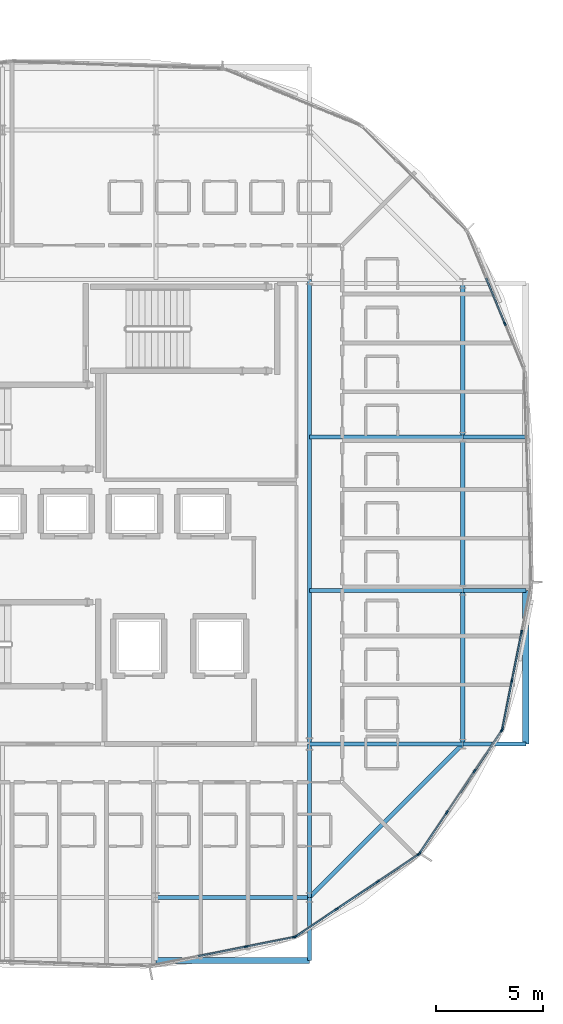
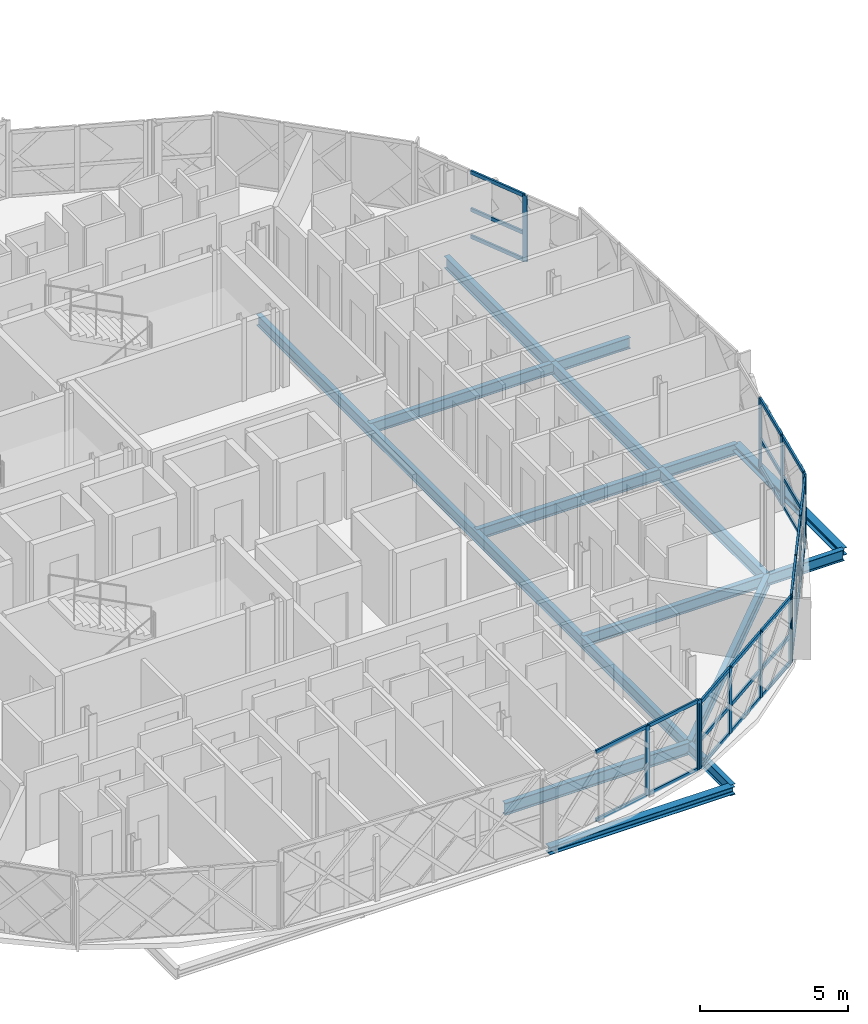
# One storey, part 8 of 25: 42 members, 16 beams, 5 elements without a shape of their own.
"""IFC4 building model written with IfcOpenShell, lengths in metres."""

from ifc_helpers import new_model, si_unit, direction, frame, origin, origin_2d, place, context, subcontext, project, spatial, rectangle, i_section, extrude, material, layer, layer_set, material_profile, profile_set, type_object, element, aggregate, save


model = new_model("IFC4")

# Units and contexts
model_context = context("Model", 3, precision=1e-05, world=origin(), true_north=direction((0.0, 1.0)))
body_context = subcontext(model_context, "Body", "Model", "MODEL_VIEW")
ifc_project = project(units=[si_unit("LENGTHUNIT", "METRE"), si_unit("AREAUNIT", "SQUARE_METRE"), si_unit("VOLUMEUNIT", "CUBIC_METRE"), si_unit("PLANEANGLEUNIT", "RADIAN"), si_unit("MASSUNIT", "GRAM", prefix="KILO")], contexts=[model_context])

# Site, building, storey
site_placement = place(None, origin())
site = spatial("IfcSite", under=ifc_project, at=site_placement, CompositionType="ELEMENT")
building_placement = place(site_placement, origin())
building = spatial("IfcBuilding", under=site, at=building_placement, Name="Zevrakil Square Congress Hotel", CompositionType="ELEMENT")
storey_placement = place(building_placement, frame((0.0, 0.0, 28.300048828125)))
storey = spatial("IfcBuildingStorey", under=building, at=storey_placement, Name="L08", CompositionType="ELEMENT", Elevation=28.300048828125)

# Beams
ifc_material_1 = material(Name="Steel S355", Category="steel")
ifc_material_profile_1 = material_profile(ifc_material_1, i_section(OverallWidth=0.18994140625, OverallDepth=0.449951171875, WebThickness=0.009521484375, FlangeThickness=0.0146484375, FilletRadius=0.02099609375, at=origin_2d()), Name="IPE 450")
ifc_profile_set_1 = profile_set([ifc_material_profile_1], Name="Steel S355")
beam_type_1 = type_object("IfcBeamType", Name="BM-IPE450", PredefinedType="BEAM", material=ifc_profile_set_1)
beam_1_placement = place(storey_placement, frame((156.0, 16.800048828125, -0.43505859375), z_axis=(0.0, 1.0, 0.0), x_axis=(-1.0, 0.0, 0.0)))
element("IfcBeam", 1, at=beam_1_placement, inside=storey, type_object=beam_type_1, Name="L08 drum core perimeter tie beam DCB-02", PredefinedType="BEAM", context=body_context, shape_type="SweptSolid", body=[
    extrude(i_section(OverallWidth=0.18994140625, OverallDepth=0.449951171875, WebThickness=0.009521484375, FlangeThickness=0.0146484375, FilletRadius=0.02099609375, at=origin_2d()), origin(), (0.0, 0.0, 1.0), 21.800048828125),
])
beam_2_placement = place(storey_placement, frame((156.0, 16.800048828125, -0.43505859375), z_axis=(0.0, -1.0, 0.0), x_axis=(1.0, 0.0, 0.0)))
element("IfcBeam", 2, at=beam_2_placement, inside=storey, type_object=beam_type_1, Name="L08 drum radial floor beam DRI-04", PredefinedType="BEAM", context=body_context, shape_type="SweptSolid", body=[
    extrude(i_section(OverallWidth=0.18994140625, OverallDepth=0.449951171875, WebThickness=0.009521484375, FlangeThickness=0.0146484375, FilletRadius=0.02099609375, at=origin_2d()), origin(), (0.0, 0.0, 1.0), 7.199951171875),
])
beam_3_placement = place(storey_placement, frame((156.0, 9.60009765625, -0.43505859375), z_axis=(0.0, -1.0, 0.0), x_axis=(1.0, 0.0, 0.0)))
element("IfcBeam", 3, at=beam_3_placement, inside=storey, type_object=beam_type_1, Name="L08 drum radial edge cantilever beam DRO-04", PredefinedType="BEAM", context=body_context, shape_type="SweptSolid", body=[
    extrude(i_section(OverallWidth=0.18994140625, OverallDepth=0.449951171875, WebThickness=0.009521484375, FlangeThickness=0.0146484375, FilletRadius=0.02099609375, at=origin_2d()), origin(), (0.0, 0.0, 1.0), 2.95458984375),
])
beam_4_placement = place(storey_placement, frame((156.0, 16.800048828125, -0.43505859375), z_axis=(1.0, 0.0, 0.0), x_axis=(0.0, 1.0, 0.0)))
element("IfcBeam", 4, at=beam_4_placement, inside=storey, type_object=beam_type_1, Name="L08 drum radial floor beam DRI-05", PredefinedType="BEAM", context=body_context, shape_type="SweptSolid", body=[
    extrude(i_section(OverallWidth=0.18994140625, OverallDepth=0.449951171875, WebThickness=0.009521484375, FlangeThickness=0.0146484375, FilletRadius=0.02099609375, at=origin_2d()), origin(), (0.0, 0.0, 1.0), 7.199951171875),
])
beam_5_placement = place(storey_placement, frame((163.199951171875, 16.800048828125, -0.43505859375), z_axis=(1.0, 0.0, 0.0), x_axis=(0.0, 1.0, 0.0)))
element("IfcBeam", 5, at=beam_5_placement, inside=storey, type_object=beam_type_1, Name="L08 drum radial edge cantilever beam DRO-05", PredefinedType="BEAM", context=body_context, shape_type="SweptSolid", body=[
    extrude(i_section(OverallWidth=0.18994140625, OverallDepth=0.449951171875, WebThickness=0.009521484375, FlangeThickness=0.0146484375, FilletRadius=0.02099609375, at=origin_2d()), origin(), (0.0, 0.0, 1.0), 2.95458984375),
])
beam_6_placement = place(storey_placement, frame((156.0, 24.0, -0.43505859375), z_axis=(1.0, 0.0, 0.0), x_axis=(0.0, 1.0, 0.0)))
element("IfcBeam", 6, at=beam_6_placement, inside=storey, type_object=beam_type_1, Name="L08 drum radial floor beam DRI-06", PredefinedType="BEAM", context=body_context, shape_type="SweptSolid", body=[
    extrude(i_section(OverallWidth=0.18994140625, OverallDepth=0.449951171875, WebThickness=0.009521484375, FlangeThickness=0.0146484375, FilletRadius=0.02099609375, at=origin_2d()), origin(), (0.0, 0.0, 1.0), 7.199951171875),
])
beam_7_placement = place(storey_placement, frame((163.199951171875, 24.0, -0.43505859375), z_axis=(1.0, 0.0, 0.0), x_axis=(0.0, 1.0, 0.0)))
element("IfcBeam", 7, at=beam_7_placement, inside=storey, type_object=beam_type_1, Name="L08 drum radial edge cantilever beam DRO-06", PredefinedType="BEAM", context=body_context, shape_type="SweptSolid", body=[
    extrude(i_section(OverallWidth=0.18994140625, OverallDepth=0.449951171875, WebThickness=0.009521484375, FlangeThickness=0.0146484375, FilletRadius=0.02099609375, at=origin_2d()), origin(), (0.0, 0.0, 1.0), 2.95458984375),
])
beam_8_placement = place(storey_placement, frame((156.0, 31.199951171875, -0.43505859375), z_axis=(1.0, 0.0, 0.0), x_axis=(0.0, 1.0, 0.0)))
element("IfcBeam", 8, at=beam_8_placement, inside=storey, type_object=beam_type_1, Name="L08 drum radial floor beam DRI-07", PredefinedType="BEAM", context=body_context, shape_type="SweptSolid", body=[
    extrude(i_section(OverallWidth=0.18994140625, OverallDepth=0.449951171875, WebThickness=0.009521484375, FlangeThickness=0.0146484375, FilletRadius=0.02099609375, at=origin_2d()), origin(), (0.0, 0.0, 1.0), 7.199951171875),
])
beam_9_placement = place(storey_placement, frame((163.199951171875, 31.199951171875, -0.43505859375), z_axis=(1.0, 0.0, 0.0), x_axis=(0.0, 1.0, 0.0)))
element("IfcBeam", 9, at=beam_9_placement, inside=storey, type_object=beam_type_1, Name="L08 drum radial edge cantilever beam DRO-07", PredefinedType="BEAM", context=body_context, shape_type="SweptSolid", body=[
    extrude(i_section(OverallWidth=0.18994140625, OverallDepth=0.449951171875, WebThickness=0.009521484375, FlangeThickness=0.0146484375, FilletRadius=0.02099609375, at=origin_2d()), origin(), (0.0, 0.0, 1.0), 2.95458984375),
])
ifc_material_2 = material(Name="Steel S355", Category="steel")
ifc_material_profile_2 = material_profile(ifc_material_2, i_section(OverallWidth=0.199951171875, OverallDepth=0.5, WebThickness=0.01025390625, FlangeThickness=0.01611328125, FilletRadius=0.02099609375, at=origin_2d()), Name="IPE 500")
ifc_profile_set_2 = profile_set([ifc_material_profile_2], Name="Steel S355")
beam_type_2 = type_object("IfcBeamType", Name="BM-IPE500", PredefinedType="BEAM", material=ifc_profile_set_2)
beam_10_placement = place(storey_placement, frame((148.800048828125, 9.60009765625, -0.4599609375), z_axis=(1.0, 0.0, 0.0), x_axis=(0.0, 1.0, 0.0)))
element("IfcBeam", 10, at=beam_10_placement, inside=storey, type_object=beam_type_2, Name="L08 drum ring girder DRB-03", PredefinedType="BEAM", context=body_context, shape_type="SweptSolid", body=[
    extrude(i_section(OverallWidth=0.199951171875, OverallDepth=0.5, WebThickness=0.01025390625, FlangeThickness=0.01611328125, FilletRadius=0.02099609375, at=origin_2d()), origin(), (0.0, 0.0, 1.0), 7.199951171875),
])
beam_11_placement = place(storey_placement, frame((156.0, 9.60009765625, -0.4599609375), z_axis=(0.707106781187, 0.707106781187, 0.0), x_axis=(-0.707106781187, 0.707106781187, 0.0)))
element("IfcBeam", 11, at=beam_11_placement, inside=storey, type_object=beam_type_2, Name="L08 drum ring girder DRB-04", PredefinedType="BEAM", context=body_context, shape_type="SweptSolid", body=[
    extrude(i_section(OverallWidth=0.199951171875, OverallDepth=0.5, WebThickness=0.01025390625, FlangeThickness=0.01611328125, FilletRadius=0.02099609375, at=origin_2d()), origin(), (0.0, 0.0, 1.0), 10.182373046875),
])
for number, where, z_axis, x_axis, name in (
    (12, (163.199951171875, 16.800048828125, -0.4599609375), (0.0, 1.0, 0.0), (-1.0, 0.0, 0.0), "L08 drum ring girder DRB-05"),
    (13, (163.199951171875, 24.0, -0.4599609375), (0.0, 1.0, 0.0), (-1.0, 0.0, 0.0), "L08 drum ring girder DRB-06"),
    (14, (163.199951171875, 31.199951171875, -0.4599609375), (0.0, 1.0, 0.0), (-1.0, 0.0, 0.0), "L08 drum ring girder DRB-07"),
):
    element("IfcBeam", number, at=place(storey_placement, frame(where, z_axis=z_axis, x_axis=x_axis)), inside=storey, type_object=beam_type_2, Name=name, PredefinedType="BEAM", context=body_context, shape_type="SweptSolid", body=[
        extrude(i_section(OverallWidth=0.199951171875, OverallDepth=0.5, WebThickness=0.01025390625, FlangeThickness=0.01611328125, FilletRadius=0.02099609375, at=origin_2d()), origin(), (0.0, 0.0, 1.0), 7.199951171875),
    ])

# Curtain wall, members
ifc_material_3 = material(Name="Aluminium Anodised Bronze", Category="aluminium")
ifc_layer = layer(ifc_material_3, 0.179931640625)
ifc_layer_set = layer_set([ifc_layer], Name="Aluminium Anodised Bronze")
curtain_wall_type = type_object("IfcCurtainWallType", Name="CW-L08-720", PredefinedType="USERDEFINED", material=ifc_layer_set)
curtain_wall_1_placement = place(storey_placement, origin())
curtain_wall_1 = element("IfcCurtainWall", 15, at=curtain_wall_1_placement, inside=storey, type_object=curtain_wall_type, Name="L08 diamond curtain wall CW-L08-0235", ObjectType="GLAZED CURTAIN WALL", PredefinedType="USERDEFINED")
ifc_material_4 = material(Name="Aluminium Anodised Bronze", Category="aluminium")
ifc_material_profile_3 = material_profile(ifc_material_4, rectangle(XDim=0.074951171875, YDim=0.14990234375, at=origin_2d()), Name="ALU 75x150")
ifc_profile_set_3 = profile_set([ifc_material_profile_3], Name="Aluminium Anodised Bronze")
member_type_1 = type_object("IfcMemberType", Name="CWM-ALU75x150", PredefinedType="USERDEFINED", material=ifc_profile_set_3)
member_1_placement = place(storey_placement, frame((150.779296875, 6.846923828125, 0.030029296875), z_axis=(0.980786492568, 0.195084227953, 0.0), x_axis=(-0.195084227953, 0.980786492568, 0.0)))
member_1 = element("IfcMember", 16, at=member_1_placement, type_object=member_type_1, Name="CW-94 transom 2.1", ObjectType="TRANSOM", PredefinedType="USERDEFINED", context=body_context, shape_type="SweptSolid", body=[
    extrude(rectangle(XDim=0.074951171875, YDim=0.14990234375, at=origin_2d()), origin(), (0.0, 0.0, 1.0), 2.275146484375),
])
member_2_placement = place(storey_placement, frame((150.779296875, 6.846923828125, 2.829833984375), z_axis=(0.980786492568, 0.195084227953, 0.0), x_axis=(-0.195084227953, 0.980786492568, 0.0)))
member_2 = element("IfcMember", 17, at=member_2_placement, type_object=member_type_1, Name="CW-94 transom 2.2", ObjectType="TRANSOM", PredefinedType="USERDEFINED", context=body_context, shape_type="SweptSolid", body=[
    extrude(rectangle(XDim=0.074951171875, YDim=0.14990234375, at=origin_2d()), origin(), (0.0, 0.0, 1.0), 2.275146484375),
])
member_3_placement = place(storey_placement, frame((153.069580078125, 7.302490234375, 0.030029296875), z_axis=(0.98078922397, 0.195070495322, 0.0), x_axis=(-0.195070495322, 0.98078922397, 0.0)))
member_3 = element("IfcMember", 18, at=member_3_placement, type_object=member_type_1, Name="CW-94 transom 3.1", ObjectType="TRANSOM", PredefinedType="USERDEFINED", context=body_context, shape_type="SweptSolid", body=[
    extrude(rectangle(XDim=0.074951171875, YDim=0.14990234375, at=origin_2d()), origin(), (0.0, 0.0, 1.0), 2.245361328125),
])
member_4_placement = place(storey_placement, frame((153.069580078125, 7.302490234375, 2.829833984375), z_axis=(0.98078922397, 0.195070495322, 0.0), x_axis=(-0.195070495322, 0.98078922397, 0.0)))
member_4 = element("IfcMember", 19, at=member_4_placement, type_object=member_type_1, Name="CW-94 transom 3.2", ObjectType="TRANSOM", PredefinedType="USERDEFINED", context=body_context, shape_type="SweptSolid", body=[
    extrude(rectangle(XDim=0.074951171875, YDim=0.14990234375, at=origin_2d()), origin(), (0.0, 0.0, 1.0), 2.245361328125),
])

curtain_wall_2_placement = place(storey_placement, origin())
curtain_wall_2 = element("IfcCurtainWall", 20, at=curtain_wall_2_placement, inside=storey, type_object=curtain_wall_type, Name="L08 diamond curtain wall CW-L08-0236", ObjectType="GLAZED CURTAIN WALL", PredefinedType="USERDEFINED")
member_5_placement = place(storey_placement, frame((155.38037109375, 7.78564453125, 0.030029296875), z_axis=(0.831497842201, 0.555527981667, 0.0), x_axis=(-0.555527981667, 0.831497842201, 0.0)))
member_5 = element("IfcMember", 21, at=member_5_placement, type_object=member_type_1, Name="CW-94 transom 1.1", ObjectType="TRANSOM", PredefinedType="USERDEFINED", context=body_context, shape_type="SweptSolid", body=[
    extrude(rectangle(XDim=0.074951171875, YDim=0.14990234375, at=origin_2d()), origin(), (0.0, 0.0, 1.0), 2.245361328125),
])
member_6_placement = place(storey_placement, frame((155.38037109375, 7.78564453125, 1.13818359375), z_axis=(0.831497842201, 0.555527981667, 0.0), x_axis=(-0.555527981667, 0.831497842201, 0.0)))
member_6 = element("IfcMember", 22, at=member_6_placement, type_object=member_type_1, Name="CW-94 transom 1.2", ObjectType="TRANSOM", PredefinedType="USERDEFINED", context=body_context, shape_type="SweptSolid", body=[
    extrude(rectangle(XDim=0.074951171875, YDim=0.14990234375, at=origin_2d()), origin(), (0.0, 0.0, 1.0), 2.245361328125),
])
member_7_placement = place(storey_placement, frame((155.38037109375, 7.78564453125, 2.679931640625), z_axis=(0.831497842201, 0.555527981667, 0.0), x_axis=(-0.555527981667, 0.831497842201, 0.0)))
member_7 = element("IfcMember", 23, at=member_7_placement, type_object=member_type_1, Name="CW-94 transom 1.3", ObjectType="TRANSOM", PredefinedType="USERDEFINED", context=body_context, shape_type="SweptSolid", body=[
    extrude(rectangle(XDim=0.074951171875, YDim=0.14990234375, at=origin_2d()), origin(), (0.0, 0.0, 1.0), 2.245361328125),
])
member_8_placement = place(storey_placement, frame((157.297119140625, 9.066162109375, 0.030029296875), z_axis=(0.831455548606, 0.555591280253, 0.0), x_axis=(-0.555591280253, 0.831455548606, 0.0)))
member_8 = element("IfcMember", 24, at=member_8_placement, type_object=member_type_1, Name="CW-94 transom 2.1", ObjectType="TRANSOM", PredefinedType="USERDEFINED", context=body_context, shape_type="SweptSolid", body=[
    extrude(rectangle(XDim=0.074951171875, YDim=0.14990234375, at=origin_2d()), origin(), (0.0, 0.0, 1.0), 2.275390625),
])
member_9_placement = place(storey_placement, frame((157.297119140625, 9.066162109375, 1.13818359375), z_axis=(0.831455548606, 0.555591280253, 0.0), x_axis=(-0.555591280253, 0.831455548606, 0.0)))
member_9 = element("IfcMember", 25, at=member_9_placement, type_object=member_type_1, Name="CW-94 transom 2.2", ObjectType="TRANSOM", PredefinedType="USERDEFINED", context=body_context, shape_type="SweptSolid", body=[
    extrude(rectangle(XDim=0.074951171875, YDim=0.14990234375, at=origin_2d()), origin(), (0.0, 0.0, 1.0), 2.275390625),
])
member_10_placement = place(storey_placement, frame((157.297119140625, 9.066162109375, 2.679931640625), z_axis=(0.831455548606, 0.555591280253, 0.0), x_axis=(-0.555591280253, 0.831455548606, 0.0)))
member_10 = element("IfcMember", 26, at=member_10_placement, type_object=member_type_1, Name="CW-94 transom 2.3", ObjectType="TRANSOM", PredefinedType="USERDEFINED", context=body_context, shape_type="SweptSolid", body=[
    extrude(rectangle(XDim=0.074951171875, YDim=0.14990234375, at=origin_2d()), origin(), (0.0, 0.0, 1.0), 2.275390625),
])
member_11_placement = place(storey_placement, frame((159.23876953125, 10.36376953125, 0.030029296875), z_axis=(0.831497842201, 0.555527981667, 0.0), x_axis=(-0.555527981667, 0.831497842201, 0.0)))
member_11 = element("IfcMember", 27, at=member_11_placement, type_object=member_type_1, Name="CW-94 transom 3.1", ObjectType="TRANSOM", PredefinedType="USERDEFINED", context=body_context, shape_type="SweptSolid", body=[
    extrude(rectangle(XDim=0.074951171875, YDim=0.14990234375, at=origin_2d()), origin(), (0.0, 0.0, 1.0), 2.245361328125),
])
member_12_placement = place(storey_placement, frame((159.23876953125, 10.36376953125, 1.13818359375), z_axis=(0.831497842201, 0.555527981667, 0.0), x_axis=(-0.555527981667, 0.831497842201, 0.0)))
member_12 = element("IfcMember", 28, at=member_12_placement, type_object=member_type_1, Name="CW-94 transom 3.2", ObjectType="TRANSOM", PredefinedType="USERDEFINED", context=body_context, shape_type="SweptSolid", body=[
    extrude(rectangle(XDim=0.074951171875, YDim=0.14990234375, at=origin_2d()), origin(), (0.0, 0.0, 1.0), 2.245361328125),
])
member_13_placement = place(storey_placement, frame((159.23876953125, 10.36376953125, 2.679931640625), z_axis=(0.831497842201, 0.555527981667, 0.0), x_axis=(-0.555527981667, 0.831497842201, 0.0)))
member_13 = element("IfcMember", 29, at=member_13_placement, type_object=member_type_1, Name="CW-94 transom 3.3", ObjectType="TRANSOM", PredefinedType="USERDEFINED", context=body_context, shape_type="SweptSolid", body=[
    extrude(rectangle(XDim=0.074951171875, YDim=0.14990234375, at=origin_2d()), origin(), (0.0, 0.0, 1.0), 2.245361328125),
])

curtain_wall_3_placement = place(storey_placement, origin())
curtain_wall_3 = element("IfcCurtainWall", 30, at=curtain_wall_3_placement, inside=storey, type_object=curtain_wall_type, Name="L08 diamond curtain wall CW-L08-0237", ObjectType="GLAZED CURTAIN WALL", PredefinedType="USERDEFINED")
member_14_placement = place(storey_placement, frame((161.18896484375, 11.6943359375, 0.030029296875), z_axis=(0.555578212179, 0.831464280743, 0.0), x_axis=(-0.831464280743, 0.555578212179, 0.0)))
member_14 = element("IfcMember", 31, at=member_14_placement, type_object=member_type_1, Name="CW-94 transom 1.1", ObjectType="TRANSOM", PredefinedType="USERDEFINED", context=body_context, shape_type="SweptSolid", body=[
    extrude(rectangle(XDim=0.074951171875, YDim=0.14990234375, at=origin_2d()), origin(), (0.0, 0.0, 1.0), 2.2451171875),
])
member_15_placement = place(storey_placement, frame((161.18896484375, 11.6943359375, 2.679931640625), z_axis=(0.555578212179, 0.831464280743, 0.0), x_axis=(-0.831464280743, 0.555578212179, 0.0)))
member_15 = element("IfcMember", 32, at=member_15_placement, type_object=member_type_1, Name="CW-94 transom 1.2", ObjectType="TRANSOM", PredefinedType="USERDEFINED", context=body_context, shape_type="SweptSolid", body=[
    extrude(rectangle(XDim=0.074951171875, YDim=0.14990234375, at=origin_2d()), origin(), (0.0, 0.0, 1.0), 2.2451171875),
])
member_16_placement = place(storey_placement, frame((162.4697265625, 13.611083984375, 0.030029296875), z_axis=(0.555566665425, 0.831471996082, 0.0), x_axis=(-0.831471996082, 0.555566665425, 0.0)))
member_16 = element("IfcMember", 33, at=member_16_placement, type_object=member_type_1, Name="CW-94 transom 2.1", ObjectType="TRANSOM", PredefinedType="USERDEFINED", context=body_context, shape_type="SweptSolid", body=[
    extrude(rectangle(XDim=0.074951171875, YDim=0.14990234375, at=origin_2d()), origin(), (0.0, 0.0, 1.0), 2.27490234375),
])
member_17_placement = place(storey_placement, frame((162.4697265625, 13.611083984375, 2.679931640625), z_axis=(0.555566665425, 0.831471996082, 0.0), x_axis=(-0.831471996082, 0.555566665425, 0.0)))
member_17 = element("IfcMember", 34, at=member_17_placement, type_object=member_type_1, Name="CW-94 transom 2.2", ObjectType="TRANSOM", PredefinedType="USERDEFINED", context=body_context, shape_type="SweptSolid", body=[
    extrude(rectangle(XDim=0.074951171875, YDim=0.14990234375, at=origin_2d()), origin(), (0.0, 0.0, 1.0), 2.27490234375),
])
member_18_placement = place(storey_placement, frame((163.76708984375, 15.552734375, 0.030029296875), z_axis=(0.555578212179, 0.831464280743, 0.0), x_axis=(-0.831464280743, 0.555578212179, 0.0)))
member_18 = element("IfcMember", 35, at=member_18_placement, type_object=member_type_1, Name="CW-94 transom 3.1", ObjectType="TRANSOM", PredefinedType="USERDEFINED", context=body_context, shape_type="SweptSolid", body=[
    extrude(rectangle(XDim=0.074951171875, YDim=0.14990234375, at=origin_2d()), origin(), (0.0, 0.0, 1.0), 2.2451171875),
])
member_19_placement = place(storey_placement, frame((163.76708984375, 15.552734375, 2.679931640625), z_axis=(0.555578212179, 0.831464280743, 0.0), x_axis=(-0.831464280743, 0.555578212179, 0.0)))
member_19 = element("IfcMember", 36, at=member_19_placement, type_object=member_type_1, Name="CW-94 transom 3.2", ObjectType="TRANSOM", PredefinedType="USERDEFINED", context=body_context, shape_type="SweptSolid", body=[
    extrude(rectangle(XDim=0.074951171875, YDim=0.14990234375, at=origin_2d()), origin(), (0.0, 0.0, 1.0), 2.2451171875),
])

curtain_wall_4_placement = place(storey_placement, origin())
curtain_wall_4 = element("IfcCurtainWall", 37, at=curtain_wall_4_placement, inside=storey, type_object=curtain_wall_type, Name="L08 diamond curtain wall CW-L08-0238", ObjectType="GLAZED CURTAIN WALL", PredefinedType="USERDEFINED")
member_20_placement = place(storey_placement, frame((165.0595703125, 17.5283203125, 0.030029296875), z_axis=(0.195091300997, 0.980785085671, 0.0), x_axis=(-0.980785085671, 0.195091300997, 0.0)))
member_20 = element("IfcMember", 38, at=member_20_placement, type_object=member_type_1, Name="CW-94 transom 1.1", ObjectType="TRANSOM", PredefinedType="USERDEFINED", context=body_context, shape_type="SweptSolid", body=[
    extrude(rectangle(XDim=0.074951171875, YDim=0.14990234375, at=origin_2d()), origin(), (0.0, 0.0, 1.0), 2.2451171875),
])
member_21_placement = place(storey_placement, frame((165.0595703125, 17.5283203125, 1.201171875), z_axis=(0.195091300997, 0.980785085671, 0.0), x_axis=(-0.980785085671, 0.195091300997, 0.0)))
member_21 = element("IfcMember", 39, at=member_21_placement, type_object=member_type_1, Name="CW-94 transom 1.2", ObjectType="TRANSOM", PredefinedType="USERDEFINED", context=body_context, shape_type="SweptSolid", body=[
    extrude(rectangle(XDim=0.074951171875, YDim=0.14990234375, at=origin_2d()), origin(), (0.0, 0.0, 1.0), 2.2451171875),
])
member_22_placement = place(storey_placement, frame((165.0595703125, 17.5283203125, 2.829833984375), z_axis=(0.195091300997, 0.980785085671, 0.0), x_axis=(-0.980785085671, 0.195091300997, 0.0)))
member_22 = element("IfcMember", 40, at=member_22_placement, type_object=member_type_1, Name="CW-94 transom 1.3", ObjectType="TRANSOM", PredefinedType="USERDEFINED", context=body_context, shape_type="SweptSolid", body=[
    extrude(rectangle(XDim=0.074951171875, YDim=0.14990234375, at=origin_2d()), origin(), (0.0, 0.0, 1.0), 2.2451171875),
])
member_23_placement = place(storey_placement, frame((165.50927734375, 19.789306640625, 0.030029296875), z_axis=(0.195084227953, 0.980786492568, 0.0), x_axis=(-0.980786492568, 0.195084227953, 0.0)))
member_23 = element("IfcMember", 41, at=member_23_placement, type_object=member_type_1, Name="CW-94 transom 2.1", ObjectType="TRANSOM", PredefinedType="USERDEFINED", context=body_context, shape_type="SweptSolid", body=[
    extrude(rectangle(XDim=0.074951171875, YDim=0.14990234375, at=origin_2d()), origin(), (0.0, 0.0, 1.0), 2.275146484375),
])
member_24_placement = place(storey_placement, frame((165.50927734375, 19.789306640625, 1.201171875), z_axis=(0.195084227953, 0.980786492568, 0.0), x_axis=(-0.980786492568, 0.195084227953, 0.0)))
member_24 = element("IfcMember", 42, at=member_24_placement, type_object=member_type_1, Name="CW-94 transom 2.2", ObjectType="TRANSOM", PredefinedType="USERDEFINED", context=body_context, shape_type="SweptSolid", body=[
    extrude(rectangle(XDim=0.074951171875, YDim=0.14990234375, at=origin_2d()), origin(), (0.0, 0.0, 1.0), 2.275146484375),
])
member_25_placement = place(storey_placement, frame((165.50927734375, 19.789306640625, 2.829833984375), z_axis=(0.195084227953, 0.980786492568, 0.0), x_axis=(-0.980786492568, 0.195084227953, 0.0)))
member_25 = element("IfcMember", 43, at=member_25_placement, type_object=member_type_1, Name="CW-94 transom 2.3", ObjectType="TRANSOM", PredefinedType="USERDEFINED", context=body_context, shape_type="SweptSolid", body=[
    extrude(rectangle(XDim=0.074951171875, YDim=0.14990234375, at=origin_2d()), origin(), (0.0, 0.0, 1.0), 2.275146484375),
])

curtain_wall_5_placement = place(storey_placement, origin())
curtain_wall_5 = element("IfcCurtainWall", 44, at=curtain_wall_5_placement, inside=storey, type_object=curtain_wall_type, Name="L08 diamond curtain wall CW-L08-0240", ObjectType="GLAZED CURTAIN WALL", PredefinedType="USERDEFINED")
member_26_placement = place(storey_placement, frame((165.164306640625, 36.547607421875, 0.030029296875), z_axis=(-0.382648740238, 0.923893901698, 0.0), x_axis=(-0.923893901698, -0.382648740238, 0.0)))
member_26 = element("IfcMember", 45, at=member_26_placement, type_object=member_type_1, Name="CW-94 transom 2.1", ObjectType="TRANSOM", PredefinedType="USERDEFINED", context=body_context, shape_type="SweptSolid", body=[
    extrude(rectangle(XDim=0.074951171875, YDim=0.14990234375, at=origin_2d()), origin(), (0.0, 0.0, 1.0), 2.275146484375),
])
member_27_placement = place(storey_placement, frame((165.164306640625, 36.547607421875, 1.13818359375), z_axis=(-0.382648740238, 0.923893901698, 0.0), x_axis=(-0.923893901698, -0.382648740238, 0.0)))
member_27 = element("IfcMember", 46, at=member_27_placement, type_object=member_type_1, Name="CW-94 transom 2.2", ObjectType="TRANSOM", PredefinedType="USERDEFINED", context=body_context, shape_type="SweptSolid", body=[
    extrude(rectangle(XDim=0.074951171875, YDim=0.14990234375, at=origin_2d()), origin(), (0.0, 0.0, 1.0), 2.275146484375),
])
member_28_placement = place(storey_placement, frame((165.164306640625, 36.547607421875, 2.679931640625), z_axis=(-0.382648740238, 0.923893901698, 0.0), x_axis=(-0.923893901698, -0.382648740238, 0.0)))
member_28 = element("IfcMember", 47, at=member_28_placement, type_object=member_type_1, Name="CW-94 transom 2.3", ObjectType="TRANSOM", PredefinedType="USERDEFINED", context=body_context, shape_type="SweptSolid", body=[
    extrude(rectangle(XDim=0.074951171875, YDim=0.14990234375, at=origin_2d()), origin(), (0.0, 0.0, 1.0), 2.275146484375),
])

# Member
ifc_material_5 = material(Name="Aluminium Anodised Bronze", Category="aluminium")
ifc_material_profile_4 = material_profile(ifc_material_5, rectangle(XDim=0.074951171875, YDim=0.179931640625, at=origin_2d()), Name="ALU 75x180")
ifc_profile_set_4 = profile_set([ifc_material_profile_4], Name="Aluminium Anodised Bronze")
member_type_2 = type_object("IfcMemberType", Name="CWM-ALU75x180", PredefinedType="MULLION", material=ifc_profile_set_4)
member_29_placement = place(storey_placement, frame((153.040283203125, 7.296630859375, 0.0), z_axis=(0.0, 0.0, 1.0), x_axis=(-0.195083900459, 0.980786557708, 0.0)))
member_29 = element("IfcMember", 48, at=member_29_placement, type_object=member_type_2, Name="CW-94 mullion 3", PredefinedType="MULLION", context=body_context, shape_type="SweptSolid", body=[
    extrude(rectangle(XDim=0.074951171875, YDim=0.179931640625, at=origin_2d()), origin(), (0.0, 0.0, 1.0), 2.85986328125),
])

member_30_placement = place(storey_placement, frame((155.30126953125, 7.746337890625, 0.0), z_axis=(0.0, 0.0, 1.0), x_axis=(-0.195083900459, 0.980786557708, 0.0)))
member_30 = element("IfcMember", 49, at=member_30_placement, type_object=member_type_2, Name="CW-94 mullion 4", PredefinedType="MULLION", context=body_context, shape_type="SweptSolid", body=[
    extrude(rectangle(XDim=0.074951171875, YDim=0.179931640625, at=origin_2d()), origin(), (0.0, 0.0, 1.0), 2.85986328125),
])

aggregate(curtain_wall_1, [member_29, member_30, member_1, member_2, member_3, member_4])

member_31_placement = place(storey_placement, frame((155.35546875, 7.768798828125, 0.0), z_axis=(0.0, 0.0, 1.0), x_axis=(-0.555576098128, 0.831465693332, 0.0)))
member_31 = element("IfcMember", 50, at=member_31_placement, type_object=member_type_2, Name="CW-94 mullion 1", PredefinedType="MULLION", context=body_context, shape_type="SweptSolid", body=[
    extrude(rectangle(XDim=0.074951171875, YDim=0.179931640625, at=origin_2d()), origin(), (0.0, 0.0, 1.0), 2.7099609375),
])

member_32_placement = place(storey_placement, frame((157.272216796875, 9.049560546875, 0.0), z_axis=(0.0, 0.0, 1.0), x_axis=(-0.555576098128, 0.831465693332, 0.0)))
member_32 = element("IfcMember", 51, at=member_32_placement, type_object=member_type_2, Name="CW-94 mullion 2", PredefinedType="MULLION", context=body_context, shape_type="SweptSolid", body=[
    extrude(rectangle(XDim=0.074951171875, YDim=0.179931640625, at=origin_2d()), origin(), (0.0, 0.0, 1.0), 2.7099609375),
])

member_33_placement = place(storey_placement, frame((159.2138671875, 10.346923828125, 0.0), z_axis=(0.0, 0.0, 1.0), x_axis=(-0.555576098128, 0.831465693332, 0.0)))
member_33 = element("IfcMember", 52, at=member_33_placement, type_object=member_type_2, Name="CW-94 mullion 3", PredefinedType="MULLION", context=body_context, shape_type="SweptSolid", body=[
    extrude(rectangle(XDim=0.074951171875, YDim=0.179931640625, at=origin_2d()), origin(), (0.0, 0.0, 1.0), 2.7099609375),
])

member_34_placement = place(storey_placement, frame((161.130615234375, 11.627685546875, 0.0), z_axis=(0.0, 0.0, 1.0), x_axis=(-0.555576098128, 0.831465693332, 0.0)))
member_34 = element("IfcMember", 53, at=member_34_placement, type_object=member_type_2, Name="CW-94 mullion 4", PredefinedType="MULLION", context=body_context, shape_type="SweptSolid", body=[
    extrude(rectangle(XDim=0.074951171875, YDim=0.179931640625, at=origin_2d()), origin(), (0.0, 0.0, 1.0), 2.7099609375),
])

aggregate(curtain_wall_2, [member_31, member_32, member_33, member_34, member_5, member_6, member_7, member_8, member_9, member_10, member_11, member_12, member_13])

member_35_placement = place(storey_placement, frame((161.17236328125, 11.66943359375, 0.0), z_axis=(0.0, 0.0, 1.0), x_axis=(-0.831465693332, 0.555576098128, 0.0)))
member_35 = element("IfcMember", 54, at=member_35_placement, type_object=member_type_2, Name="CW-94 mullion 1", PredefinedType="MULLION", context=body_context, shape_type="SweptSolid", body=[
    extrude(rectangle(XDim=0.074951171875, YDim=0.179931640625, at=origin_2d()), origin(), (0.0, 0.0, 1.0), 2.7099609375),
])

member_36_placement = place(storey_placement, frame((162.452880859375, 13.586181640625, 0.0), z_axis=(0.0, 0.0, 1.0), x_axis=(-0.831465693332, 0.555576098128, 0.0)))
member_36 = element("IfcMember", 55, at=member_36_placement, type_object=member_type_2, Name="CW-94 mullion 2", PredefinedType="MULLION", context=body_context, shape_type="SweptSolid", body=[
    extrude(rectangle(XDim=0.074951171875, YDim=0.179931640625, at=origin_2d()), origin(), (0.0, 0.0, 1.0), 2.7099609375),
])

member_37_placement = place(storey_placement, frame((163.75048828125, 15.52783203125, 0.0), z_axis=(0.0, 0.0, 1.0), x_axis=(-0.831465693332, 0.555576098128, 0.0)))
member_37 = element("IfcMember", 56, at=member_37_placement, type_object=member_type_2, Name="CW-94 mullion 3", PredefinedType="MULLION", context=body_context, shape_type="SweptSolid", body=[
    extrude(rectangle(XDim=0.074951171875, YDim=0.179931640625, at=origin_2d()), origin(), (0.0, 0.0, 1.0), 2.7099609375),
])

member_38_placement = place(storey_placement, frame((165.03125, 17.4443359375, 0.0), z_axis=(0.0, 0.0, 1.0), x_axis=(-0.831465693332, 0.555576098128, 0.0)))
member_38 = element("IfcMember", 57, at=member_38_placement, type_object=member_type_2, Name="CW-94 mullion 4", PredefinedType="MULLION", context=body_context, shape_type="SweptSolid", body=[
    extrude(rectangle(XDim=0.074951171875, YDim=0.179931640625, at=origin_2d()), origin(), (0.0, 0.0, 1.0), 2.7099609375),
])

aggregate(curtain_wall_3, [member_35, member_36, member_37, member_38, member_14, member_15, member_16, member_17, member_18, member_19])

member_39_placement = place(storey_placement, frame((165.0537109375, 17.498779296875, 0.0), z_axis=(0.0, 0.0, 1.0), x_axis=(-0.980786557708, 0.195083900459, 0.0)))
member_39 = element("IfcMember", 58, at=member_39_placement, type_object=member_type_2, Name="CW-94 mullion 1", PredefinedType="MULLION", context=body_context, shape_type="SweptSolid", body=[
    extrude(rectangle(XDim=0.074951171875, YDim=0.179931640625, at=origin_2d()), origin(), (0.0, 0.0, 1.0), 2.85986328125),
])

member_40_placement = place(storey_placement, frame((165.50341796875, 19.759765625, 0.0), z_axis=(0.0, 0.0, 1.0), x_axis=(-0.980786557708, 0.195083900459, 0.0)))
member_40 = element("IfcMember", 59, at=member_40_placement, type_object=member_type_2, Name="CW-94 mullion 2", PredefinedType="MULLION", context=body_context, shape_type="SweptSolid", body=[
    extrude(rectangle(XDim=0.074951171875, YDim=0.179931640625, at=origin_2d()), origin(), (0.0, 0.0, 1.0), 2.85986328125),
])

member_41_placement = place(storey_placement, frame((165.958984375, 22.050048828125, 0.0), z_axis=(0.0, 0.0, 1.0), x_axis=(-0.980786557708, 0.195083900459, 0.0)))
member_41 = element("IfcMember", 60, at=member_41_placement, type_object=member_type_2, Name="CW-94 mullion 3", PredefinedType="MULLION", context=body_context, shape_type="SweptSolid", body=[
    extrude(rectangle(XDim=0.074951171875, YDim=0.179931640625, at=origin_2d()), origin(), (0.0, 0.0, 1.0), 2.85986328125),
])

aggregate(curtain_wall_4, [member_39, member_40, member_41, member_20, member_21, member_22, member_23, member_24, member_25])

member_42_placement = place(storey_placement, frame((165.17578125, 36.519775390625, 0.0), z_axis=(0.0, 0.0, 1.0), x_axis=(-0.92387939537, -0.382683763454, 0.0)))
member_42 = element("IfcMember", 61, at=member_42_placement, type_object=member_type_2, Name="CW-94 mullion 2", PredefinedType="MULLION", context=body_context, shape_type="SweptSolid", body=[
    extrude(rectangle(XDim=0.074951171875, YDim=0.179931640625, at=origin_2d()), origin(), (0.0, 0.0, 1.0), 2.7099609375),
])

aggregate(curtain_wall_5, [member_42, member_26, member_27, member_28])

# Beams
ifc_material_6 = material(Name="Steel S355", Category="steel")
ifc_material_profile_5 = material_profile(ifc_material_6, i_section(OverallWidth=0.300048828125, OverallDepth=0.300048828125, WebThickness=0.010986328125, FlangeThickness=0.01904296875, FilletRadius=0.027099609375, at=origin_2d()), Name="HEB 300")
ifc_profile_set_5 = profile_set([ifc_material_profile_5], Name="Steel S355")
beam_type_3 = type_object("IfcBeamType", Name="SPD-RHS250", PredefinedType="SPANDREL", material=ifc_profile_set_5)
for number, where, z_axis, x_axis, name in (
    (62, (148.800048828125, 6.6455078125, -0.360107421875), (1.0, 0.0, 0.0), (0.0, 1.0, 0.0), "L08 drum edge spandrel beam DSP-02"),
    (63, (166.154541015625, 16.800048828125, -0.360107421875), (0.0, 1.0, 0.0), (-1.0, 0.0, 0.0), "L08 drum edge spandrel beam DSP-04"),
):
    element("IfcBeam", number, at=place(storey_placement, frame(where, z_axis=z_axis, x_axis=x_axis)), inside=storey, type_object=beam_type_3, Name=name, PredefinedType="SPANDREL", context=body_context, shape_type="SweptSolid", body=[
        extrude(i_section(OverallWidth=0.300048828125, OverallDepth=0.300048828125, WebThickness=0.010986328125, FlangeThickness=0.01904296875, FilletRadius=0.027099609375, at=origin_2d()), origin(), (0.0, 0.0, 1.0), 7.199951171875),
    ])

save(model, "model.ifc")
